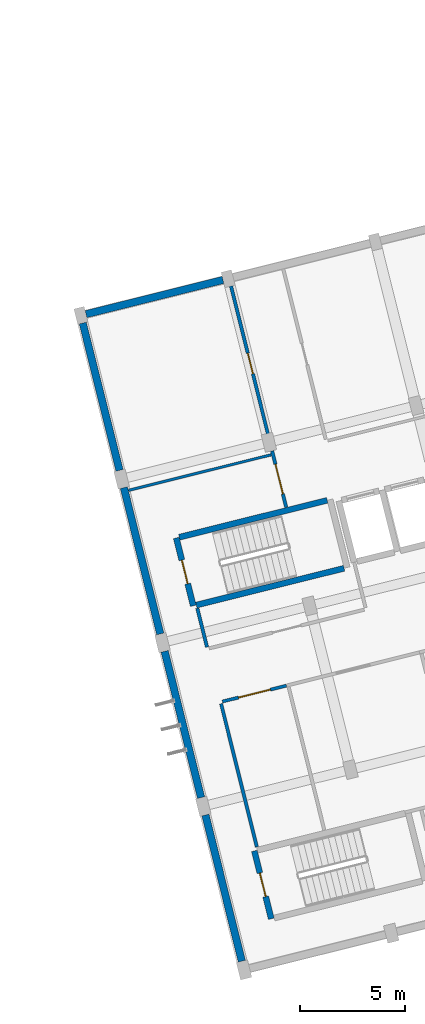
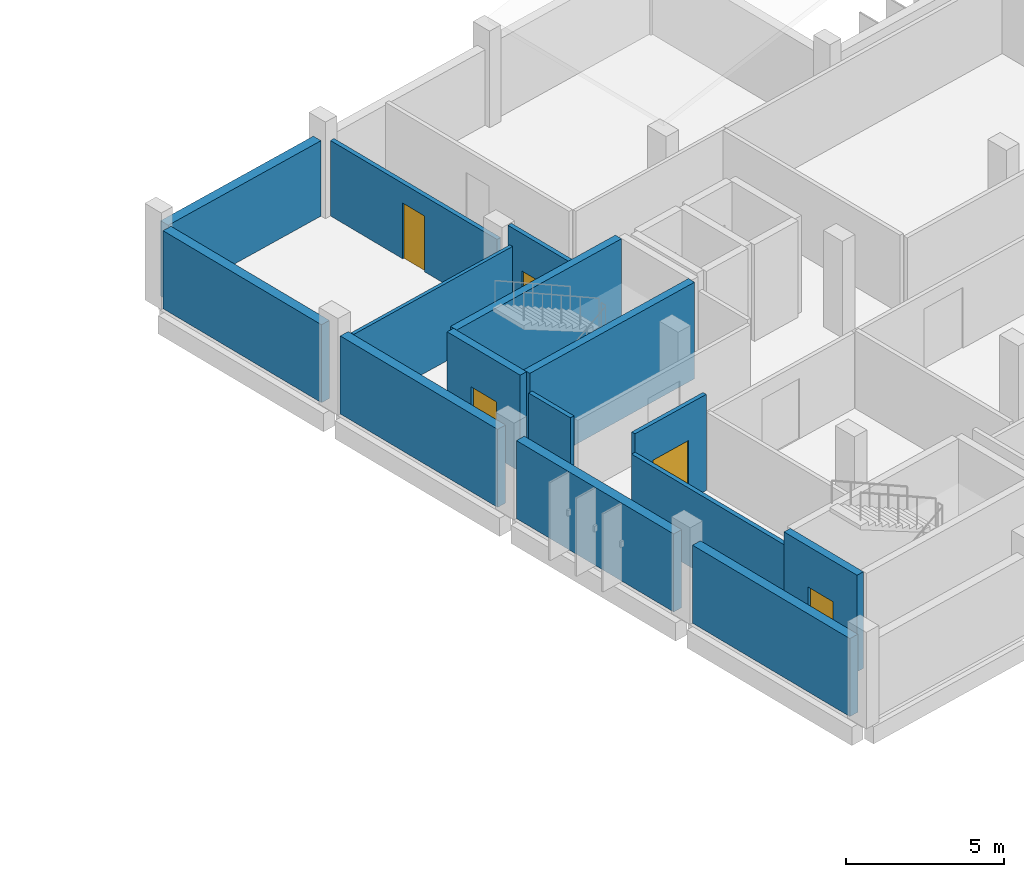
# One storey, part 8 of 21: 15 walls, 5 doors, 5 openings.
"""IFC4 building model written with IfcOpenShell, lengths in metres."""

from ifc_helpers import new_model, si_unit, direction, frame, frame_2d, origin, place, context, subcontext, project, spatial, rectangle, extrude, material, layer, layer_set, type_object, element, fill, save


model = new_model("IFC4")

# Units and contexts
model_context = context("Model", 3, precision=1e-05, world=origin(), true_north=direction((0.0, 1.0)))
body_context = subcontext(model_context, "Body", "Model", "MODEL_VIEW")
ifc_project = project(units=[si_unit("LENGTHUNIT", "METRE"), si_unit("AREAUNIT", "SQUARE_METRE"), si_unit("VOLUMEUNIT", "CUBIC_METRE"), si_unit("PLANEANGLEUNIT", "RADIAN"), si_unit("MASSUNIT", "GRAM", prefix="KILO")], contexts=[model_context])

# Site, building, storey
site_placement = place(None, origin())
site = spatial("IfcSite", under=ifc_project, at=site_placement, CompositionType="ELEMENT")
building_placement = place(site_placement, origin())
building = spatial("IfcBuilding", under=site, at=building_placement, Name="Mawjan Specialist Oncology Clinic", CompositionType="ELEMENT")
storey_placement = place(building_placement, frame((0.0, 0.0, 13.5)))
storey = spatial("IfcBuildingStorey", under=building, at=storey_placement, Name="L03", CompositionType="ELEMENT", Elevation=13.5)

# Walls
ifc_material_1 = material(Name="Precast concrete C40/50", Category="concrete")
ifc_layer_1 = layer(ifc_material_1, 0.35009765625, Name="Precast concrete C40/50", Category="concrete")
ifc_layer_set_1 = layer_set([ifc_layer_1], Name="Precast concrete C40/50")
wall_type_1 = type_object("IfcWallType", Name="EW-350", PredefinedType="SOLIDWALL", material=ifc_layer_set_1)
for number, where, z_axis, x_axis, name in (
    (1, (125.897216796875, 1.21240234375, 0.0), (0.0, 0.0, 1.0), (-0.241924964772, 0.97029496104, 0.0), "L03 Coral-Limestone Exterior Wall EW-L03-263"),
    (2, (123.9619140625, 8.974853515625, 0.0), (0.0, 0.0, 1.0), (-0.241924964772, 0.97029496104, 0.0), "L03 Coral-Limestone Exterior Wall EW-L03-264"),
):
    element("IfcWall", number, at=place(storey_placement, frame(where, z_axis=z_axis, x_axis=x_axis)), inside=storey, type_object=wall_type_1, Name=name, PredefinedType="SOLIDWALL", context=body_context, shape_type="SweptSolid", body=[
        extrude(rectangle(XDim=7.14990234375, YDim=0.35009765625, at=frame_2d((3.574951171875, 0.0))), origin(), (0.0, 0.0, 1.0), 3.0048828125),
    ])
wall_1_placement = place(storey_placement, frame((122.0263671875, 16.737060546875, 0.0), z_axis=(0.0, 0.0, 1.0), x_axis=(-0.241916949628, 0.970296959432, 0.0)))
element("IfcWall", 3, at=wall_1_placement, inside=storey, type_object=wall_type_1, Name="L03 Coral-Limestone Exterior Wall EW-L03-265", PredefinedType="SOLIDWALL", context=body_context, shape_type="SweptSolid", body=[
    extrude(rectangle(XDim=7.150146484375, YDim=0.35009765625, at=frame_2d((3.5751953125, 0.0))), origin(), (0.0, 0.0, 1.0), 3.0048828125),
])
wall_2_placement = place(storey_placement, frame((120.091064453125, 24.49951171875, 0.0), z_axis=(0.0, 0.0, 1.0), x_axis=(-0.241937193493, 0.970291911955, 0.0)))
element("IfcWall", 4, at=wall_2_placement, inside=storey, type_object=wall_type_1, Name="L03 Coral-Limestone Exterior Wall EW-L03-266", PredefinedType="SOLIDWALL", context=body_context, shape_type="SweptSolid", body=[
    extrude(rectangle(XDim=7.199951171875, YDim=0.35009765625, at=frame_2d((3.60009765625, 0.0))), origin(), (0.0, 0.0, 1.0), 3.0048828125),
])
wall_3_placement = place(storey_placement, frame((118.5009765625, 31.909912109375, 0.0), z_axis=(0.0, 0.0, 1.0), x_axis=(0.970296633454, 0.241918257079, 0.0)))
element("IfcWall", 5, at=wall_3_placement, inside=storey, type_object=wall_type_1, Name="L03 Coral-Limestone Exterior Wall EW-L03-267", PredefinedType="SOLIDWALL", context=body_context, shape_type="SweptSolid", body=[
    extrude(rectangle(XDim=6.699951171875, YDim=0.35009765625, at=frame_2d((3.35009765625, 0.0))), origin(), (0.0, 0.0, 1.0), 2.905029296875),
])
ifc_material_2 = material(Name="Concrete C45/55", Category="concrete")
ifc_layer_2 = layer(ifc_material_2, 0.280029296875, Name="Concrete C45/55", Category="concrete")
ifc_layer_set_2 = layer_set([ifc_layer_2], Name="Concrete C45/55")
wall_type_2 = type_object("IfcWallType", Name="SW-300", PredefinedType="SHEAR", material=ifc_layer_set_2)
for number, where, z_axis, x_axis, name in (
    (6, (123.731201171875, 18.105224609375, 0.0), (0.0, 0.0, 1.0), (0.970297238923, 0.241915828623, 0.0), "L03 Core K5 Stair Shear Wall 1"),
    (7, (129.943115234375, 23.07568359375, 0.0), (0.0, 0.0, 1.0), (-0.970289312034, -0.241947620266, 0.0), "L03 Core K5 Stair Shear Wall 3"),
):
    element("IfcWall", number, at=place(storey_placement, frame(where, z_axis=z_axis, x_axis=x_axis)), inside=storey, type_object=wall_type_2, Name=name, PredefinedType="SHEAR", context=body_context, shape_type="SweptSolid", body=[
        extrude(rectangle(XDim=7.22998046875, YDim=0.280029296875, at=frame_2d((3.614990234375, 0.0))), origin(), (0.0, 0.0, 1.0), 3.719970703125),
    ])

# Wall, opening, door
wall_4_placement = place(storey_placement, frame((122.787353515625, 21.29150390625, 0.0), z_axis=(0.0, 0.0, 1.0), x_axis=(0.241860763027, -0.970310966293, 0.0)))
wall_4 = element("IfcWall", 8, at=wall_4_placement, inside=storey, type_object=wall_type_2, Name="L03 Core K5 Stair Shear Wall 4", PredefinedType="SHEAR", context=body_context, shape_type="SweptSolid", body=[
    extrude(rectangle(XDim=3.320068359375, YDim=0.280029296875, at=frame_2d((1.66015625, 0.0))), origin(), (0.0, 0.0, 1.0), 3.719970703125),
])
opening_1_placement = place(wall_4_placement, frame((1.0849609375, 0.0, 0.0)))
opening_1 = element("IfcOpeningElement", 9, at=opening_1_placement, cuts=wall_4, Name="Opening FD-90", PredefinedType="OPENING", context=body_context, shape_type="SweptSolid", body=[
    extrude(rectangle(XDim=1.14990234375, YDim=2.14990234375, at=frame_2d((0.574951171875, 1.074951171875))), frame((0.0, 0.152099609375, 0.0), z_axis=(0.0, -1.0, 0.0), x_axis=(1.0, 0.0, 0.0)), (0.0, 0.0, 1.0), 0.303955078125),
])
ifc_material_3 = material(Name="Stainless-steel fire-rated hospital door", Category="steel")
door_type_1 = type_object("IfcDoorType", Name="FD-90", OperationType="NOTDEFINED", PredefinedType="DOOR", material=ifc_material_3)
door_1_placement = place(opening_1_placement, origin())
door_1 = element("IfcDoor", 10, at=door_1_placement, inside=storey, type_object=door_type_1, Name="L03 ST-05 Fire Exit Stair Door", OperationType="SINGLE_SWING_RIGHT", OverallHeight=2.14990234375, OverallWidth=1.14990234375, PredefinedType="DOOR", context=body_context, shape_type="SweptSolid", body=[
    extrude(rectangle(XDim=1.14990234375, YDim=2.14990234375, at=frame_2d((0.574951171875, 1.074951171875))), frame((0.0, 0.02490234375, 0.0), z_axis=(0.0, -1.0, 0.0), x_axis=(1.0, 0.0, 0.0)), (0.0, 0.0, 1.0), 0.050048828125),
])
fill(opening_1, door_1)

wall_5_placement = place(storey_placement, frame((126.488525390625, 6.44580078125, 0.0), z_axis=(0.0, 0.0, 1.0), x_axis=(0.241947258837, -0.970289402158, 0.0)))
wall_5 = element("IfcWall", 11, at=wall_5_placement, inside=storey, type_object=wall_type_2, Name="L03 Core K6 Stair Shear Wall 4", PredefinedType="SHEAR", context=body_context, shape_type="SweptSolid", body=[
    extrude(rectangle(XDim=3.31982421875, YDim=0.280029296875, at=frame_2d((1.659912109375, 0.0))), origin(), (0.0, 0.0, 1.0), 3.719970703125),
])
opening_2_placement = place(wall_5_placement, frame((1.0849609375, 0.0, 0.0)))
opening_2 = element("IfcOpeningElement", 12, at=opening_2_placement, cuts=wall_5, Name="Opening FD-90", PredefinedType="OPENING", context=body_context, shape_type="SweptSolid", body=[
    extrude(rectangle(XDim=1.14990234375, YDim=2.14990234375, at=frame_2d((0.574951171875, 1.074951171875))), frame((0.0, 0.152099609375, 0.0), z_axis=(0.0, -1.0, 0.0), x_axis=(1.0, 0.0, 0.0)), (0.0, 0.0, 1.0), 0.303955078125),
])
door_2_placement = place(opening_2_placement, origin())
door_2 = element("IfcDoor", 13, at=door_2_placement, inside=storey, type_object=door_type_1, Name="L03 ST-06 Fire Exit Stair Door", OperationType="SINGLE_SWING_RIGHT", OverallHeight=2.14990234375, OverallWidth=1.14990234375, PredefinedType="DOOR", context=body_context, shape_type="SweptSolid", body=[
    extrude(rectangle(XDim=1.14990234375, YDim=2.14990234375, at=frame_2d((0.574951171875, 1.074951171875))), frame((0.0, 0.02490234375, 0.0), z_axis=(0.0, -1.0, 0.0), x_axis=(1.0, 0.0, 0.0)), (0.0, 0.0, 1.0), 0.050048828125),
])
fill(opening_2, door_2)

# Wall
ifc_material_4 = material(Name="Moisture-resistant washroom partition", Category="gypsum")
ifc_layer_3 = layer(ifc_material_4, 0.125, Name="Moisture-resistant washroom partition", Category="gypsum")
ifc_layer_set_3 = layer_set([ifc_layer_3], Name="Moisture-resistant washroom partition")
wall_type_3 = type_object("IfcWallType", Name="WP-125", PredefinedType="PARTITIONING", material=ifc_layer_set_3)
wall_6_placement = place(storey_placement, frame((120.5205078125, 23.550048828125, 0.0), z_axis=(0.0, 0.0, 1.0), x_axis=(0.970292703498, 0.241934018977, 0.0)))
element("IfcWall", 14, at=wall_6_placement, inside=storey, type_object=wall_type_3, Name="L03 Interior Partition W-RINT-L03-RWN-N", PredefinedType="PARTITIONING", context=body_context, shape_type="SweptSolid", body=[
    extrude(rectangle(XDim=6.970947265625, YDim=0.125, at=frame_2d((3.4853515625, 0.0))), origin(), (0.0, 0.0, 1.0), 3.0048828125),
])

# Wall, opening, door
ifc_material_5 = material(Name="Acoustic gypsum clinical partition", Category="gypsum")
ifc_layer_4 = layer(ifc_material_5, 0.14990234375, Name="Acoustic gypsum clinical partition", Category="gypsum")
ifc_layer_set_4 = layer_set([ifc_layer_4], Name="Acoustic gypsum clinical partition")
wall_type_4 = type_object("IfcWallType", Name="WP-150", PredefinedType="PARTITIONING", material=ifc_layer_set_4)
wall_7_placement = place(storey_placement, frame((124.974853515625, 13.530029296875, 0.0), z_axis=(0.0, 0.0, 1.0), x_axis=(0.970289141252, 0.241948305158, 0.0)))
wall_7 = element("IfcWall", 15, at=wall_7_placement, inside=storey, type_object=wall_type_4, Name="L03 Interior Partition W-RINT-L03-RAS1-N", PredefinedType="PARTITIONING", context=body_context, shape_type="SweptSolid", body=[
    extrude(rectangle(XDim=3.130126953125, YDim=0.14990234375, at=frame_2d((1.56494140625, 0.0))), origin(), (0.0, 0.0, 1.0), 3.699951171875),
])
opening_3_placement = place(wall_7_placement, frame((0.784912109375, 0.0, 0.0)))
opening_3 = element("IfcOpeningElement", 16, at=opening_3_placement, cuts=wall_7, Name="Opening DC-156", PredefinedType="OPENING", context=body_context, shape_type="SweptSolid", body=[
    extrude(rectangle(XDim=1.56005859375, YDim=2.300048828125, at=frame_2d((0.780029296875, 1.14990234375))), frame((0.0, 0.0869140625, 0.0), z_axis=(0.0, -1.0, 0.0), x_axis=(1.0, 0.0, 0.0)), (0.0, 0.0, 1.0), 0.173828125),
])
ifc_material_6 = material(Name="Acoustic laminate hospital door leaf", Category="wood")
door_type_2 = type_object("IfcDoorType", Name="DC-156", OperationType="NOTDEFINED", PredefinedType="DOOR", material=ifc_material_6)
door_3_placement = place(opening_3_placement, origin())
door_3 = element("IfcDoor", 17, at=door_3_placement, inside=storey, type_object=door_type_2, Name="L03 Accessible Toilet Door", OperationType="SINGLE_SWING_RIGHT", OverallHeight=2.300048828125, OverallWidth=1.56005859375, PredefinedType="DOOR", context=body_context, shape_type="SweptSolid", body=[
    extrude(rectangle(XDim=1.56005859375, YDim=2.300048828125, at=frame_2d((0.780029296875, 1.14990234375))), frame((0.0, 0.02490234375, 0.0), z_axis=(0.0, -1.0, 0.0), x_axis=(1.0, 0.0, 0.0)), (0.0, 0.0, 1.0), 0.050048828125),
])
fill(opening_3, door_3)

ifc_material_7 = material(Name="Acoustic clinical twin-stud partition", Category="gypsum")
ifc_layer_5 = layer(ifc_material_7, 0.159912109375, Name="Acoustic clinical twin-stud partition", Category="gypsum")
ifc_layer_set_5 = layer_set([ifc_layer_5], Name="Acoustic clinical twin-stud partition")
wall_type_5 = type_object("IfcWallType", Name="WP-160", PredefinedType="PARTITIONING", material=ifc_layer_set_5)
wall_8_placement = place(storey_placement, frame((127.999755859375, 22.747802734375, 0.0), z_axis=(0.0, 0.0, 1.0), x_axis=(-0.241929995817, 0.970293706629, 0.0)))
wall_8 = element("IfcWall", 18, at=wall_8_placement, inside=storey, type_object=wall_type_5, Name="L03 Interior Partition W-RINT-L03-RWN-E", PredefinedType="PARTITIONING", context=body_context, shape_type="SweptSolid", body=[
    extrude(rectangle(XDim=2.7509765625, YDim=0.159912109375, at=frame_2d((1.37548828125, 0.0))), origin(), (0.0, 0.0, 1.0), 3.699951171875),
])
opening_4_placement = place(wall_8_placement, frame((0.650390625, 0.0, 0.0)))
opening_4 = element("IfcOpeningElement", 19, at=opening_4_placement, cuts=wall_8, Name="Opening DC-145", PredefinedType="OPENING", context=body_context, shape_type="SweptSolid", body=[
    extrude(rectangle(XDim=1.449951171875, YDim=2.260009765625, at=frame_2d((0.72509765625, 1.1298828125))), frame((0.0, 0.092041015625, 0.0), z_axis=(0.0, -1.0, 0.0), x_axis=(1.0, 0.0, 0.0)), (0.0, 0.0, 1.0), 0.183837890625),
])
ifc_material_8 = material(Name="Acoustic laminate hospital door leaf", Category="wood")
door_type_3 = type_object("IfcDoorType", Name="DC-145", OperationType="NOTDEFINED", PredefinedType="DOOR", material=ifc_material_8)
door_4_placement = place(opening_4_placement, origin())
door_4 = element("IfcDoor", 20, at=door_4_placement, inside=storey, type_object=door_type_3, Name="L03 Computational Oncology Laboratory Door", OperationType="SINGLE_SWING_LEFT", OverallHeight=2.260009765625, OverallWidth=1.449951171875, PredefinedType="DOOR", context=body_context, shape_type="SweptSolid", body=[
    extrude(rectangle(XDim=1.449951171875, YDim=2.260009765625, at=frame_2d((0.72509765625, 1.1298828125))), frame((0.0, 0.02490234375, 0.0), z_axis=(0.0, -1.0, 0.0), x_axis=(1.0, 0.0, 0.0)), (0.0, 0.0, 1.0), 0.050048828125),
])
fill(opening_4, door_4)

wall_9_placement = place(storey_placement, frame((127.21533203125, 25.894287109375, 0.0), z_axis=(0.0, 0.0, 1.0), x_axis=(-0.241943923358, 0.970290233873, 0.0)))
wall_9 = element("IfcWall", 21, at=wall_9_placement, inside=storey, type_object=wall_type_5, Name="L03 Interior Partition W-RINT-L03-RNW1-E", PredefinedType="PARTITIONING", context=body_context, shape_type="SweptSolid", body=[
    extrude(rectangle(XDim=7.5732421875, YDim=0.159912109375, at=frame_2d((3.78662109375, 0.0))), origin(), (0.0, 0.0, 1.0), 2.905029296875),
])
opening_5_placement = place(wall_9_placement, frame((3.28662109375, 0.0, 0.0)))
opening_5 = element("IfcOpeningElement", 22, at=opening_5_placement, cuts=wall_9, Name="Opening DI-100", PredefinedType="OPENING", context=body_context, shape_type="SweptSolid", body=[
    extrude(rectangle(XDim=1.0, YDim=2.14990234375, at=frame_2d((0.5, 1.074951171875))), frame((0.0, 0.092041015625, 0.0), z_axis=(0.0, -1.0, 0.0), x_axis=(1.0, 0.0, 0.0)), (0.0, 0.0, 1.0), 0.183837890625),
])
ifc_material_9 = material(Name="Acoustic laminate hospital door leaf", Category="wood")
door_type_4 = type_object("IfcDoorType", Name="DI-100", OperationType="NOTDEFINED", PredefinedType="DOOR", material=ifc_material_9)
door_5_placement = place(opening_5_placement, origin())
door_5 = element("IfcDoor", 23, at=door_5_placement, inside=storey, type_object=door_type_4, Name="L03 Cancer Genomics Dry Laboratory Door", OperationType="SINGLE_SWING_LEFT", OverallHeight=2.14990234375, OverallWidth=1.0, PredefinedType="DOOR", context=body_context, shape_type="SweptSolid", body=[
    extrude(rectangle(XDim=1.0, YDim=2.14990234375, at=frame_2d((0.5, 1.074951171875))), frame((0.0, 0.02490234375, 0.0), z_axis=(0.0, -1.0, 0.0), x_axis=(1.0, 0.0, 0.0)), (0.0, 0.0, 1.0), 0.050048828125),
])
fill(opening_5, door_5)

# Walls
wall_10_placement = place(storey_placement, frame((124.242919921875, 16.11474609375, 0.0), z_axis=(0.0, 0.0, 1.0), x_axis=(-0.241962034071, 0.970285717749, 0.0)))
element("IfcWall", 24, at=wall_10_placement, inside=storey, type_object=wall_type_5, Name="L03 Interior Partition W-RINT-L03-RKS-W", PredefinedType="PARTITIONING", context=body_context, shape_type="SweptSolid", body=[
    extrude(rectangle(XDim=1.903076171875, YDim=0.159912109375, at=frame_2d((0.95166015625, 0.0))), origin(), (0.0, 0.0, 1.0), 3.0048828125),
])
wall_11_placement = place(storey_placement, frame((126.607177734375, 6.632080078125, 0.0), z_axis=(0.0, 0.0, 1.0), x_axis=(-0.241944970231, 0.970289972833, 0.0)))
element("IfcWall", 25, at=wall_11_placement, inside=storey, type_object=wall_type_5, Name="L03 Interior Partition W-RINT-L03-RAS1-W", PredefinedType="PARTITIONING", context=body_context, shape_type="SweptSolid", body=[
    extrude(rectangle(XDim=7.0029296875, YDim=0.159912109375, at=frame_2d((3.50146484375, 0.0))), origin(), (0.0, 0.0, 1.0), 3.0048828125),
])

save(model, "model.ifc")
